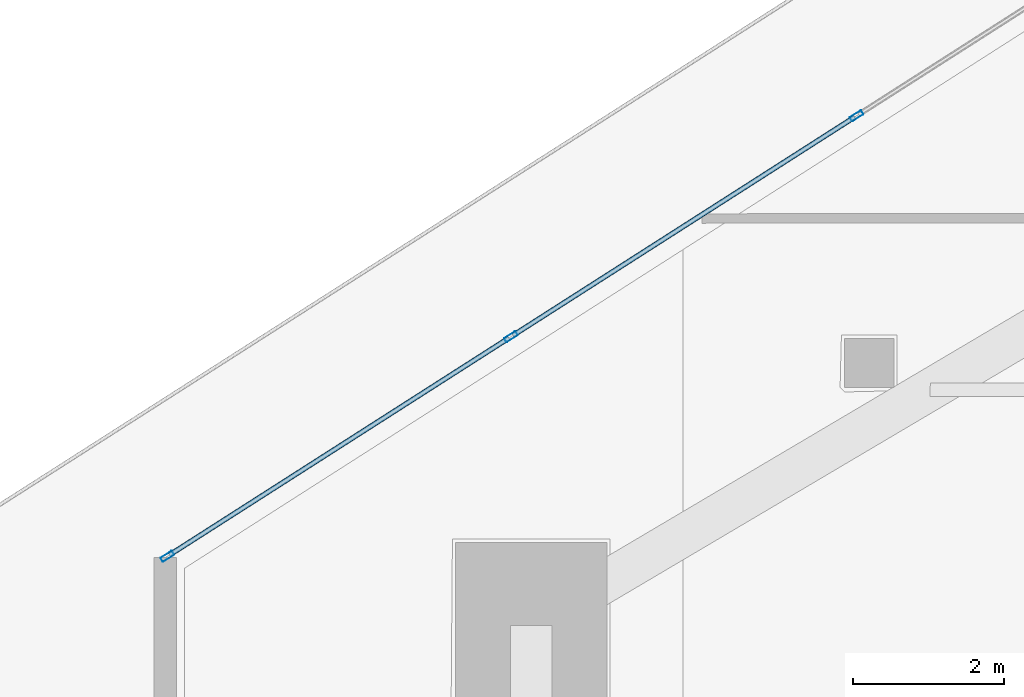
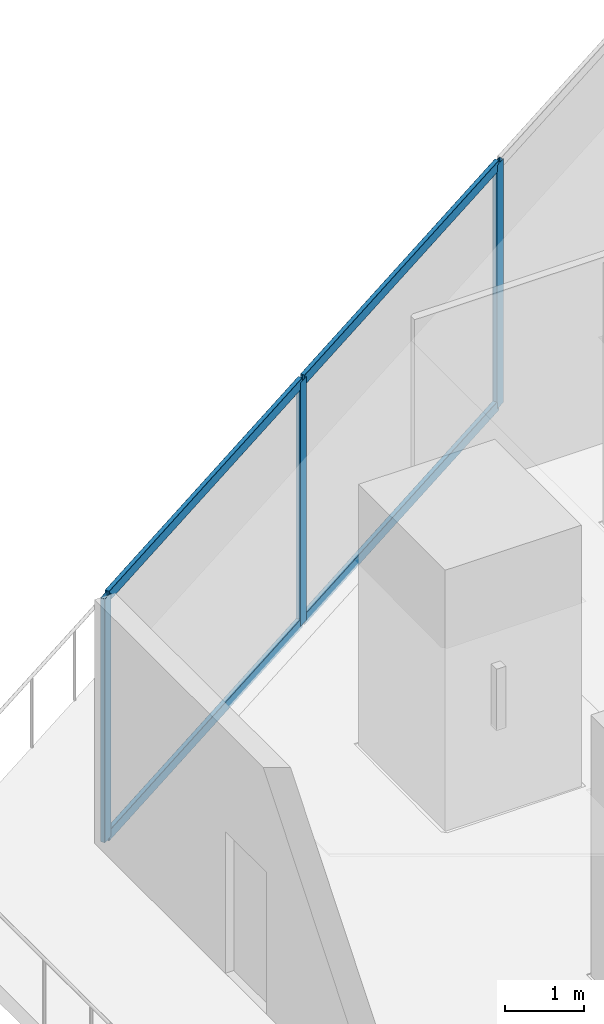
# One storey, part 11 of 35: 7 members, 1 element without a shape of its own.
"""IFC4 building model written with IfcOpenShell, lengths in metres."""

from ifc_helpers import new_model, si_unit, direction, frame, origin, origin_2d, place, context, subcontext, project, spatial, hollow_rectangle, extrude, material, layer, layer_set, material_profile, profile_set, type_object, element, aggregate, save


model = new_model("IFC4")

# Units and contexts
model_context = context("Model", 3, precision=1e-05, world=origin(), true_north=direction((0.0, 1.0)))
body_context = subcontext(model_context, "Body", "Model", "MODEL_VIEW")
ifc_project = project(units=[si_unit("LENGTHUNIT", "METRE"), si_unit("AREAUNIT", "SQUARE_METRE"), si_unit("VOLUMEUNIT", "CUBIC_METRE"), si_unit("PLANEANGLEUNIT", "RADIAN"), si_unit("MASSUNIT", "GRAM", prefix="KILO")], contexts=[model_context])

# Site, building, storey
site_placement = place(None, origin())
site = spatial("IfcSite", under=ifc_project, at=site_placement, CompositionType="ELEMENT")
building_placement = place(site_placement, origin())
building = spatial("IfcBuilding", under=site, at=building_placement, Name="Qorvath Tower", CompositionType="ELEMENT")
storey_placement = place(building_placement, frame((0.0, 0.0, 130.050048828125)))
storey = spatial("IfcBuildingStorey", under=building, at=storey_placement, Name="L29", CompositionType="ELEMENT", Elevation=130.050048828125)

# Curtain wall, members
ifc_material_1 = material(Name="Anodised aluminium and triple low-E glass", Category="aluminium")
ifc_layer = layer(ifc_material_1, 0.179931640625)
ifc_layer_set = layer_set([ifc_layer], Name="CW-SYS-2")
curtain_wall_type = type_object("IfcCurtainWallType", Name="CW-SYS-2", PredefinedType="NOTDEFINED", material=ifc_layer_set)
curtain_wall_placement = place(storey_placement, origin())
curtain_wall = element("IfcCurtainWall", 1, at=curtain_wall_placement, inside=storey, type_object=curtain_wall_type, Name="Curtain Wall CW-2 CW-T-L29-16.3", PredefinedType="NOTDEFINED")
ifc_material_2 = material(Name="Anodised aluminium 6063-T6", Category="aluminium")
ifc_material_profile_1 = material_profile(ifc_material_2, hollow_rectangle(XDim=0.06494140625, YDim=0.179931640625, WallThickness=0.00341796875, InnerFilletRadius=0.00341796875, OuterFilletRadius=0.007080078125, at=origin_2d()), Name="CWM 180x65")
ifc_profile_set_1 = profile_set([ifc_material_profile_1], Name="Anodised aluminium 6063-T6")
member_type_1 = type_object("IfcMemberType", Name="CWM-180", PredefinedType="MULLION", material=ifc_profile_set_1)
member_1_placement = place(storey_placement, frame((-48.7451171875, 9.69287109375, 0.0), z_axis=(0.0, 0.0, 1.0), x_axis=(0.538534177075, -0.842603667285, 0.0)))
member_1 = element("IfcMember", 2, at=member_1_placement, type_object=member_type_1, Name="CW-2 mullion 4", PredefinedType="MULLION", context=body_context, shape_type="SweptSolid", body=[
    extrude(hollow_rectangle(XDim=0.06494140625, YDim=0.179931640625, WallThickness=0.00341796875, InnerFilletRadius=0.00341796875, OuterFilletRadius=0.007080078125, at=origin_2d()), origin(), (0.0, 0.0, 1.0), 3.780029296875),
])
member_2_placement = place(storey_placement, frame((-53.317138671875, 6.770751953125, 0.0), z_axis=(0.0, 0.0, 1.0), x_axis=(0.538534177075, -0.842603667285, 0.0)))
member_2 = element("IfcMember", 3, at=member_2_placement, type_object=member_type_1, Name="CW-2 mullion 5", PredefinedType="MULLION", context=body_context, shape_type="SweptSolid", body=[
    extrude(hollow_rectangle(XDim=0.06494140625, YDim=0.179931640625, WallThickness=0.00341796875, InnerFilletRadius=0.00341796875, OuterFilletRadius=0.007080078125, at=origin_2d()), origin(), (0.0, 0.0, 1.0), 3.780029296875),
])
member_3_placement = place(storey_placement, frame((-57.86181640625, 3.8662109375, 0.0), z_axis=(0.0, 0.0, 1.0), x_axis=(0.538534177075, -0.842603667285, 0.0)))
member_3 = element("IfcMember", 4, at=member_3_placement, type_object=member_type_1, Name="CW-2 mullion 6", PredefinedType="MULLION", context=body_context, shape_type="SweptSolid", body=[
    extrude(hollow_rectangle(XDim=0.06494140625, YDim=0.179931640625, WallThickness=0.00341796875, InnerFilletRadius=0.00341796875, OuterFilletRadius=0.007080078125, at=origin_2d()), origin(), (0.0, 0.0, 1.0), 3.780029296875),
])
ifc_material_3 = material(Name="Anodised aluminium 6063-T6", Category="aluminium")
ifc_material_profile_2 = material_profile(ifc_material_3, hollow_rectangle(XDim=0.06494140625, YDim=0.159912109375, WallThickness=0.00341796875, InnerFilletRadius=0.00341796875, OuterFilletRadius=0.007080078125, at=origin_2d()), Name="CWT 160x65")
ifc_profile_set_2 = profile_set([ifc_material_profile_2], Name="Anodised aluminium 6063-T6")
member_type_2 = type_object("IfcMemberType", Name="CWT-160", PredefinedType="USERDEFINED", material=ifc_profile_set_2)
member_4_placement = place(storey_placement, frame((-48.7724609375, 9.67529296875, 0.032470703125), z_axis=(-0.842621067422, -0.538506951428, 0.0), x_axis=(0.538506951428, -0.842621067422, 0.0)))
member_4 = element("IfcMember", 5, at=member_4_placement, type_object=member_type_2, Name="CW-2 transom 4.1", ObjectType="TRANSOM", PredefinedType="USERDEFINED", context=body_context, shape_type="SweptSolid", body=[
    extrude(hollow_rectangle(XDim=0.06494140625, YDim=0.159912109375, WallThickness=0.00341796875, InnerFilletRadius=0.00341796875, OuterFilletRadius=0.007080078125, at=origin_2d()), origin(), (0.0, 0.0, 1.0), 5.361083984375),
])
member_5_placement = place(storey_placement, frame((-48.7724609375, 9.67529296875, 3.74755859375), z_axis=(-0.842621067422, -0.538506951428, 0.0), x_axis=(0.538506951428, -0.842621067422, 0.0)))
member_5 = element("IfcMember", 6, at=member_5_placement, type_object=member_type_2, Name="CW-2 transom 4.2", ObjectType="TRANSOM", PredefinedType="USERDEFINED", context=body_context, shape_type="SweptSolid", body=[
    extrude(hollow_rectangle(XDim=0.06494140625, YDim=0.159912109375, WallThickness=0.00341796875, InnerFilletRadius=0.00341796875, OuterFilletRadius=0.007080078125, at=origin_2d()), origin(), (0.0, 0.0, 1.0), 5.361083984375),
])
member_6_placement = place(storey_placement, frame((-53.344482421875, 6.753173828125, 0.032470703125), z_axis=(-0.842609059562, -0.538525740095, 0.0), x_axis=(0.538525740095, -0.842609059562, 0.0)))
member_6 = element("IfcMember", 7, at=member_6_placement, type_object=member_type_2, Name="CW-2 transom 5.1", ObjectType="TRANSOM", PredefinedType="USERDEFINED", context=body_context, shape_type="SweptSolid", body=[
    extrude(hollow_rectangle(XDim=0.06494140625, YDim=0.159912109375, WallThickness=0.00341796875, InnerFilletRadius=0.00341796875, OuterFilletRadius=0.007080078125, at=origin_2d()), origin(), (0.0, 0.0, 1.0), 5.32861328125),
])
member_7_placement = place(storey_placement, frame((-53.344482421875, 6.753173828125, 3.74755859375), z_axis=(-0.842609059562, -0.538525740095, 0.0), x_axis=(0.538525740095, -0.842609059562, 0.0)))
member_7 = element("IfcMember", 8, at=member_7_placement, type_object=member_type_2, Name="CW-2 transom 5.2", ObjectType="TRANSOM", PredefinedType="USERDEFINED", context=body_context, shape_type="SweptSolid", body=[
    extrude(hollow_rectangle(XDim=0.06494140625, YDim=0.159912109375, WallThickness=0.00341796875, InnerFilletRadius=0.00341796875, OuterFilletRadius=0.007080078125, at=origin_2d()), origin(), (0.0, 0.0, 1.0), 5.32861328125),
])
aggregate(curtain_wall, [member_1, member_2, member_3, member_4, member_5, member_6, member_7])

save(model, "model.ifc")
